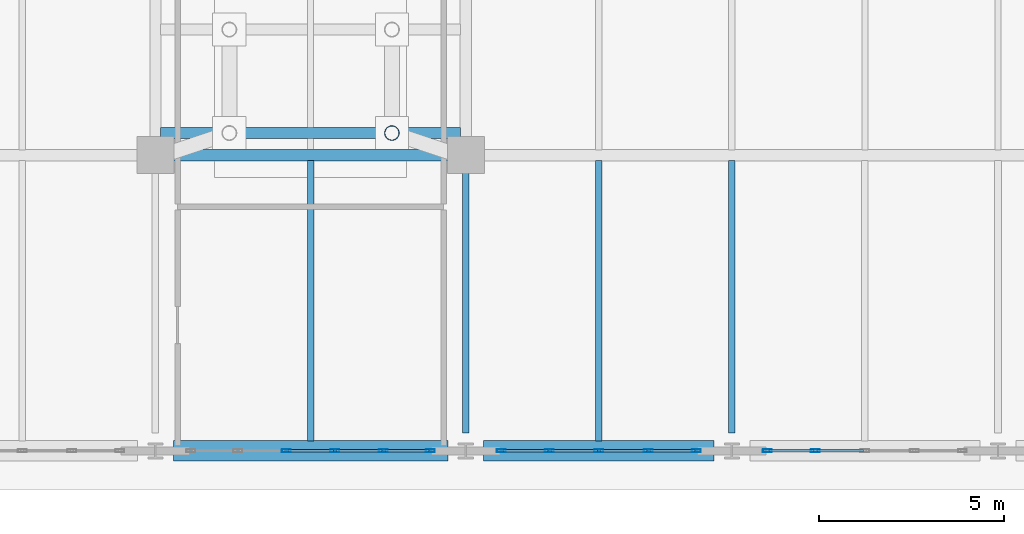
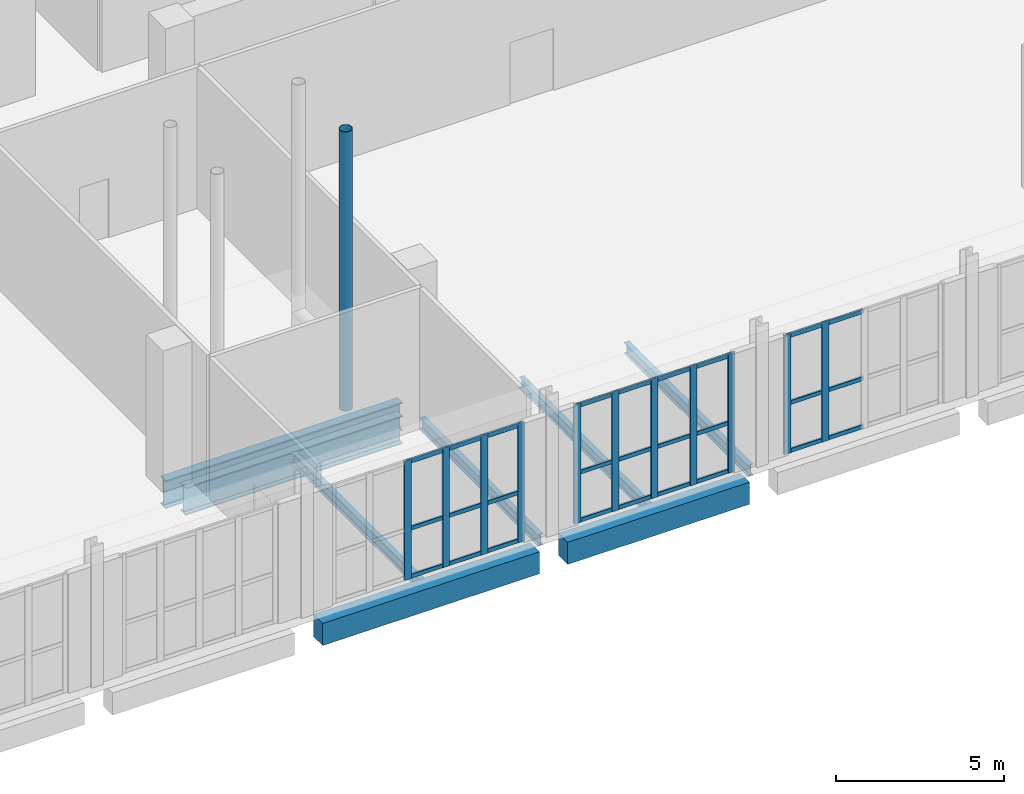
# One storey, part 8 of 26: 39 members, 8 beams, 3 elements without a shape of their own.
"""IFC4 building model written with IfcOpenShell, lengths in metres."""

from ifc_helpers import new_model, si_unit, direction, frame, origin, origin_2d, place, context, subcontext, project, spatial, rectangle, hollow_rectangle, hollow_circle, i_section, extrude, material, layer, layer_set, material_profile, profile_set, type_object, element, aggregate, save


model = new_model("IFC4")

# Units and contexts
model_context = context("Model", 3, precision=1e-05, world=origin(), true_north=direction((0.0, 1.0)))
body_context = subcontext(model_context, "Body", "Model", "MODEL_VIEW")
ifc_project = project(units=[si_unit("LENGTHUNIT", "METRE"), si_unit("AREAUNIT", "SQUARE_METRE"), si_unit("VOLUMEUNIT", "CUBIC_METRE"), si_unit("PLANEANGLEUNIT", "RADIAN"), si_unit("MASSUNIT", "GRAM", prefix="KILO")], contexts=[model_context])

# Site, building, storey
site_placement = place(None, origin())
site = spatial("IfcSite", under=ifc_project, at=site_placement, CompositionType="ELEMENT")
building_placement = place(site_placement, origin())
building = spatial("IfcBuilding", under=site, at=building_placement, Name="Kaelvorn Grand Hotel", CompositionType="ELEMENT")
storey_placement = place(building_placement, frame((0.0, 0.0, 294.699951171875)))
storey = spatial("IfcBuildingStorey", under=building, at=storey_placement, Name="L72", CompositionType="ELEMENT", Elevation=294.699951171875)

# Beams
ifc_material_1 = material(Name="Steel S460", Category="steel")
ifc_material_profile_1 = material_profile(ifc_material_1, i_section(OverallWidth=0.302001953125, OverallDepth=1.008056640625, WebThickness=0.02099609375, FlangeThickness=0.0400390625, FilletRadius=0.024169921875, at=origin_2d()), Name="UB 1016x305x349")
ifc_profile_set_1 = profile_set([ifc_material_profile_1], Name="Steel S460")
beam_type_1 = type_object("IfcBeamType", Name="BM-G-UB1016-S460", PredefinedType="BEAM", material=ifc_profile_set_1)
beam_1_placement = place(storey_placement, frame((38.284912109375, 15.0, -0.884033203125), z_axis=(1.0, 0.0, 0.0), x_axis=(0.0, 1.0, 0.0)))
element("IfcBeam", 1, at=beam_1_placement, inside=storey, type_object=beam_type_1, Name="L72 Primary Spine Steel Girder G-15 03", PredefinedType="BEAM", context=body_context, shape_type="SweptSolid", body=[
    extrude(i_section(OverallWidth=0.302001953125, OverallDepth=1.008056640625, WebThickness=0.02099609375, FlangeThickness=0.0400390625, FilletRadius=0.024169921875, at=origin_2d()), origin(), (0.0, 0.0, 1.0), 7.43017578125),
])
beam_2_placement = place(storey_placement, frame((37.93994140625, 15.60009765625, -0.884033203125), z_axis=(1.0, 0.0, 0.0), x_axis=(0.0, 1.0, 0.0)))
element("IfcBeam", 2, at=beam_2_placement, inside=storey, type_object=beam_type_1, Name="L72 Tuned Mass Damper Support Girder G1-1", PredefinedType="BEAM", context=body_context, shape_type="SweptSolid", body=[
    extrude(i_section(OverallWidth=0.302001953125, OverallDepth=1.008056640625, WebThickness=0.02099609375, FlangeThickness=0.0400390625, FilletRadius=0.024169921875, at=origin_2d()), origin(), (0.0, 0.0, 1.0), 8.1201171875),
])
ifc_material_2 = material(Name="Steel S355", Category="steel")
ifc_material_profile_2 = material_profile(ifc_material_2, i_section(OverallWidth=0.179931640625, OverallDepth=0.39990234375, WebThickness=0.008544921875, FlangeThickness=0.013427734375, FilletRadius=0.02099609375, at=origin_2d()), Name="IPE 400")
ifc_profile_set_2 = profile_set([ifc_material_profile_2], Name="Steel S355")
beam_type_2 = type_object("IfcBeamType", Name="BM-J-IPE400-S355", PredefinedType="JOIST", material=ifc_profile_set_2)
beam_3_placement = place(storey_placement, frame((42.0, 7.260009765625, -0.579833984375), z_axis=(0.0, 1.0, 0.0), x_axis=(-1.0, 0.0, 0.0)))
element("IfcBeam", 3, at=beam_3_placement, inside=storey, type_object=beam_type_2, Name="L72 Composite Floor Joist JS-12", PredefinedType="JOIST", context=body_context, shape_type="SweptSolid", body=[
    extrude(i_section(OverallWidth=0.179931640625, OverallDepth=0.39990234375, WebThickness=0.008544921875, FlangeThickness=0.013427734375, FilletRadius=0.02099609375, at=origin_2d()), origin(), (0.0, 0.0, 1.0), 7.60400390625),
])
beam_4_placement = place(storey_placement, frame((46.199951171875, 7.485107421875, -0.579833984375), z_axis=(0.0, 1.0, 0.0), x_axis=(-1.0, 0.0, 0.0)))
element("IfcBeam", 4, at=beam_4_placement, inside=storey, type_object=beam_type_2, Name="L72 Composite Floor Joist JS-13", PredefinedType="JOIST", context=body_context, shape_type="SweptSolid", body=[
    extrude(i_section(OverallWidth=0.179931640625, OverallDepth=0.39990234375, WebThickness=0.008544921875, FlangeThickness=0.013427734375, FilletRadius=0.02099609375, at=origin_2d()), origin(), (0.0, 0.0, 1.0), 7.02978515625),
])
beam_5_placement = place(storey_placement, frame((49.800048828125, 7.260009765625, -0.579833984375), z_axis=(0.0, 1.0, 0.0), x_axis=(-1.0, 0.0, 0.0)))
element("IfcBeam", 5, at=beam_5_placement, inside=storey, type_object=beam_type_2, Name="L72 Composite Floor Joist JS-14", PredefinedType="JOIST", context=body_context, shape_type="SweptSolid", body=[
    extrude(i_section(OverallWidth=0.179931640625, OverallDepth=0.39990234375, WebThickness=0.008544921875, FlangeThickness=0.013427734375, FilletRadius=0.02099609375, at=origin_2d()), origin(), (0.0, 0.0, 1.0), 7.60400390625),
])
beam_6_placement = place(storey_placement, frame((53.39990234375, 7.485107421875, -0.579833984375), z_axis=(0.0, 1.0, 0.0), x_axis=(-1.0, 0.0, 0.0)))
element("IfcBeam", 6, at=beam_6_placement, inside=storey, type_object=beam_type_2, Name="L72 Composite Floor Joist JS-15", PredefinedType="JOIST", context=body_context, shape_type="SweptSolid", body=[
    extrude(i_section(OverallWidth=0.179931640625, OverallDepth=0.39990234375, WebThickness=0.008544921875, FlangeThickness=0.013427734375, FilletRadius=0.02099609375, at=origin_2d()), origin(), (0.0, 0.0, 1.0), 7.37890625),
])
ifc_material_3 = material(Name="Concrete C50/60", Category="concrete")
ifc_material_profile_3 = material_profile(ifc_material_3, rectangle(XDim=0.550048828125, YDim=0.800048828125, at=origin_2d()), Name="RC SPANDREL 550x800")
ifc_profile_set_3 = profile_set([ifc_material_profile_3], Name="Concrete C50/60")
beam_type_3 = type_object("IfcBeamType", Name="BM-SP-550x800-C50", PredefinedType="SPANDREL", material=ifc_profile_set_3)
beam_7_placement = place(storey_placement, frame((38.284912109375, 7.0, -0.780029296875), z_axis=(1.0, 0.0, 0.0), x_axis=(0.0, 1.0, 0.0)))
element("IfcBeam", 7, at=beam_7_placement, inside=storey, type_object=beam_type_3, Name="L72 South Perimeter Spandrel 05", PredefinedType="SPANDREL", context=body_context, shape_type="SweptSolid", body=[
    extrude(rectangle(XDim=0.550048828125, YDim=0.800048828125, at=origin_2d()), origin(), (0.0, 0.0, 1.0), 7.43017578125),
])
beam_8_placement = place(storey_placement, frame((46.68505859375, 7.0, -0.780029296875), z_axis=(1.0, 0.0, 0.0), x_axis=(0.0, 1.0, 0.0)))
element("IfcBeam", 8, at=beam_8_placement, inside=storey, type_object=beam_type_3, Name="L72 South Perimeter Spandrel 06", PredefinedType="SPANDREL", context=body_context, shape_type="SweptSolid", body=[
    extrude(rectangle(XDim=0.550048828125, YDim=0.800048828125, at=origin_2d()), origin(), (0.0, 0.0, 1.0), 6.22998046875),
])

# Curtain wall, members
ifc_material_4 = material(Name="Anodised Aluminium", Category="aluminium")
ifc_layer = layer(ifc_material_4, 0.239990234375)
ifc_layer_set = layer_set([ifc_layer], Name="Anodised Aluminium")
curtain_wall_type = type_object("IfcCurtainWallType", Name="CW-SYS5", PredefinedType="NOTDEFINED", material=ifc_layer_set)
curtain_wall_1_placement = place(storey_placement, origin())
curtain_wall_1 = element("IfcCurtainWall", 9, at=curtain_wall_1_placement, inside=storey, type_object=curtain_wall_type, Name="L72 Unitised Curtain Wall CW5 (CW-L72-S-04)", PredefinedType="NOTDEFINED")
ifc_material_profile_4 = material_profile(ifc_material_4, hollow_rectangle(XDim=0.080078125, YDim=0.239990234375, WallThickness=0.0048828125, InnerFilletRadius=0.0048828125, OuterFilletRadius=0.010009765625, at=origin_2d()), Name="ALU MULL 80x240")
ifc_profile_set_4 = profile_set([ifc_material_profile_4], Name="Anodised Aluminium")
member_type_1 = type_object("IfcMemberType", Name="CW-SYS5-MULL", PredefinedType="MULLION", material=ifc_profile_set_4)
member_1_placement = place(storey_placement, frame((41.343994140625, 7.0, 0.0), z_axis=(0.0, 0.0, 1.0), x_axis=(0.0, 1.0, 0.0)))
member_1 = element("IfcMember", 10, at=member_1_placement, type_object=member_type_1, Name="CW5 mullion 3", PredefinedType="MULLION", context=body_context, shape_type="SweptSolid", body=[
    extrude(hollow_rectangle(XDim=0.080078125, YDim=0.239990234375, WallThickness=0.0048828125, InnerFilletRadius=0.0048828125, OuterFilletRadius=0.010009765625, at=origin_2d()), origin(), (0.0, 0.0, 1.0), 4.320068359375),
])
member_2_placement = place(storey_placement, frame((42.656005859375, 7.0, 0.0), z_axis=(0.0, 0.0, 1.0), x_axis=(0.0, 1.0, 0.0)))
member_2 = element("IfcMember", 11, at=member_2_placement, type_object=member_type_1, Name="CW5 mullion 4", PredefinedType="MULLION", context=body_context, shape_type="SweptSolid", body=[
    extrude(hollow_rectangle(XDim=0.080078125, YDim=0.239990234375, WallThickness=0.0048828125, InnerFilletRadius=0.0048828125, OuterFilletRadius=0.010009765625, at=origin_2d()), origin(), (0.0, 0.0, 1.0), 4.320068359375),
])
member_3_placement = place(storey_placement, frame((43.968017578125, 7.0, 0.0), z_axis=(0.0, 0.0, 1.0), x_axis=(0.0, 1.0, 0.0)))
member_3 = element("IfcMember", 12, at=member_3_placement, type_object=member_type_1, Name="CW5 mullion 5", PredefinedType="MULLION", context=body_context, shape_type="SweptSolid", body=[
    extrude(hollow_rectangle(XDim=0.080078125, YDim=0.239990234375, WallThickness=0.0048828125, InnerFilletRadius=0.0048828125, OuterFilletRadius=0.010009765625, at=origin_2d()), origin(), (0.0, 0.0, 1.0), 4.320068359375),
])
member_4_placement = place(storey_placement, frame((45.239990234375, 7.0, 0.0), z_axis=(0.0, 0.0, 1.0), x_axis=(0.0, 1.0, 0.0)))
member_4 = element("IfcMember", 13, at=member_4_placement, type_object=member_type_1, Name="CW5 mullion 6", PredefinedType="MULLION", context=body_context, shape_type="SweptSolid", body=[
    extrude(hollow_rectangle(XDim=0.080078125, YDim=0.239990234375, WallThickness=0.0048828125, InnerFilletRadius=0.0048828125, OuterFilletRadius=0.010009765625, at=origin_2d()), origin(), (0.0, 0.0, 1.0), 4.320068359375),
])

curtain_wall_2_placement = place(storey_placement, origin())
curtain_wall_2 = element("IfcCurtainWall", 14, at=curtain_wall_2_placement, inside=storey, type_object=curtain_wall_type, Name="L72 Unitised Curtain Wall CW5 (CW-L72-S-05)", PredefinedType="NOTDEFINED")
member_5_placement = place(storey_placement, frame((47.159912109375, 7.0, 0.0), z_axis=(0.0, 0.0, 1.0), x_axis=(0.0, 1.0, 0.0)))
member_5 = element("IfcMember", 15, at=member_5_placement, type_object=member_type_1, Name="CW5 mullion 1", PredefinedType="MULLION", context=body_context, shape_type="SweptSolid", body=[
    extrude(hollow_rectangle(XDim=0.080078125, YDim=0.239990234375, WallThickness=0.0048828125, InnerFilletRadius=0.0048828125, OuterFilletRadius=0.010009765625, at=origin_2d()), origin(), (0.0, 0.0, 1.0), 4.320068359375),
])
member_6_placement = place(storey_placement, frame((48.4599609375, 7.0, 0.0), z_axis=(0.0, 0.0, 1.0), x_axis=(0.0, 1.0, 0.0)))
member_6 = element("IfcMember", 16, at=member_6_placement, type_object=member_type_1, Name="CW5 mullion 2", PredefinedType="MULLION", context=body_context, shape_type="SweptSolid", body=[
    extrude(hollow_rectangle(XDim=0.080078125, YDim=0.239990234375, WallThickness=0.0048828125, InnerFilletRadius=0.0048828125, OuterFilletRadius=0.010009765625, at=origin_2d()), origin(), (0.0, 0.0, 1.0), 4.320068359375),
])
member_7_placement = place(storey_placement, frame((49.800048828125, 7.0, 0.0), z_axis=(0.0, 0.0, 1.0), x_axis=(0.0, 1.0, 0.0)))
member_7 = element("IfcMember", 17, at=member_7_placement, type_object=member_type_1, Name="CW5 mullion 3", PredefinedType="MULLION", context=body_context, shape_type="SweptSolid", body=[
    extrude(hollow_rectangle(XDim=0.080078125, YDim=0.239990234375, WallThickness=0.0048828125, InnerFilletRadius=0.0048828125, OuterFilletRadius=0.010009765625, at=origin_2d()), origin(), (0.0, 0.0, 1.0), 4.320068359375),
])
member_8_placement = place(storey_placement, frame((51.139892578125, 7.0, 0.0), z_axis=(0.0, 0.0, 1.0), x_axis=(0.0, 1.0, 0.0)))
member_8 = element("IfcMember", 18, at=member_8_placement, type_object=member_type_1, Name="CW5 mullion 4", PredefinedType="MULLION", context=body_context, shape_type="SweptSolid", body=[
    extrude(hollow_rectangle(XDim=0.080078125, YDim=0.239990234375, WallThickness=0.0048828125, InnerFilletRadius=0.0048828125, OuterFilletRadius=0.010009765625, at=origin_2d()), origin(), (0.0, 0.0, 1.0), 4.320068359375),
])
member_9_placement = place(storey_placement, frame((52.43994140625, 7.0, 0.0), z_axis=(0.0, 0.0, 1.0), x_axis=(0.0, 1.0, 0.0)))
member_9 = element("IfcMember", 19, at=member_9_placement, type_object=member_type_1, Name="CW5 mullion 5", PredefinedType="MULLION", context=body_context, shape_type="SweptSolid", body=[
    extrude(hollow_rectangle(XDim=0.080078125, YDim=0.239990234375, WallThickness=0.0048828125, InnerFilletRadius=0.0048828125, OuterFilletRadius=0.010009765625, at=origin_2d()), origin(), (0.0, 0.0, 1.0), 4.320068359375),
])

curtain_wall_3_placement = place(storey_placement, origin())
curtain_wall_3 = element("IfcCurtainWall", 20, at=curtain_wall_3_placement, inside=storey, type_object=curtain_wall_type, Name="L72 Unitised Curtain Wall CW5 (CW-L72-S-06)", PredefinedType="NOTDEFINED")
member_10_placement = place(storey_placement, frame((54.360107421875, 7.0, 0.0), z_axis=(0.0, 0.0, 1.0), x_axis=(0.0, 1.0, 0.0)))
member_10 = element("IfcMember", 21, at=member_10_placement, type_object=member_type_1, Name="CW5 mullion 1", PredefinedType="MULLION", context=body_context, shape_type="SweptSolid", body=[
    extrude(hollow_rectangle(XDim=0.080078125, YDim=0.239990234375, WallThickness=0.0048828125, InnerFilletRadius=0.0048828125, OuterFilletRadius=0.010009765625, at=origin_2d()), origin(), (0.0, 0.0, 1.0), 4.320068359375),
])
member_11_placement = place(storey_placement, frame((55.659912109375, 7.0, 0.0), z_axis=(0.0, 0.0, 1.0), x_axis=(0.0, 1.0, 0.0)))
member_11 = element("IfcMember", 22, at=member_11_placement, type_object=member_type_1, Name="CW5 mullion 2", PredefinedType="MULLION", context=body_context, shape_type="SweptSolid", body=[
    extrude(hollow_rectangle(XDim=0.080078125, YDim=0.239990234375, WallThickness=0.0048828125, InnerFilletRadius=0.0048828125, OuterFilletRadius=0.010009765625, at=origin_2d()), origin(), (0.0, 0.0, 1.0), 4.320068359375),
])

# Member
ifc_material_profile_5 = material_profile(ifc_material_4, hollow_rectangle(XDim=0.074951171875, YDim=0.14990234375, WallThickness=0.00390625, InnerFilletRadius=0.00390625, OuterFilletRadius=0.008056640625, at=origin_2d()), Name="ALU TRAN 75x150")
ifc_profile_set_5 = profile_set([ifc_material_profile_5], Name="Anodised Aluminium")
member_type_2 = type_object("IfcMemberType", Name="CW-SYS5-TRAN", PredefinedType="NOTDEFINED", material=ifc_profile_set_5)
member_12_placement = place(storey_placement, frame((41.384033203125, 7.0, 0.074951171875), z_axis=(1.0, 0.0, 0.0), x_axis=(0.0, 1.0, 0.0)))
member_12 = element("IfcMember", 23, at=member_12_placement, type_object=member_type_2, Name="CW5 transom 3.1", ObjectType="TRANSOM", PredefinedType="USERDEFINED", context=body_context, shape_type="SweptSolid", body=[
    extrude(hollow_rectangle(XDim=0.074951171875, YDim=0.14990234375, WallThickness=0.00390625, InnerFilletRadius=0.00390625, OuterFilletRadius=0.008056640625, at=origin_2d()), origin(), (0.0, 0.0, 1.0), 1.23193359375),
])

member_13_placement = place(storey_placement, frame((41.384033203125, 7.0, 1.814453125), z_axis=(1.0, 0.0, 0.0), x_axis=(0.0, 1.0, 0.0)))
member_13 = element("IfcMember", 24, at=member_13_placement, type_object=member_type_2, Name="CW5 transom 3.2", ObjectType="TRANSOM", PredefinedType="USERDEFINED", context=body_context, shape_type="SweptSolid", body=[
    extrude(hollow_rectangle(XDim=0.074951171875, YDim=0.14990234375, WallThickness=0.00390625, InnerFilletRadius=0.00390625, OuterFilletRadius=0.008056640625, at=origin_2d()), origin(), (0.0, 0.0, 1.0), 1.23193359375),
])

member_14_placement = place(storey_placement, frame((41.384033203125, 7.0, 4.2451171875), z_axis=(1.0, 0.0, 0.0), x_axis=(0.0, 1.0, 0.0)))
member_14 = element("IfcMember", 25, at=member_14_placement, type_object=member_type_2, Name="CW5 transom 3.3", ObjectType="TRANSOM", PredefinedType="USERDEFINED", context=body_context, shape_type="SweptSolid", body=[
    extrude(hollow_rectangle(XDim=0.074951171875, YDim=0.14990234375, WallThickness=0.00390625, InnerFilletRadius=0.00390625, OuterFilletRadius=0.008056640625, at=origin_2d()), origin(), (0.0, 0.0, 1.0), 1.23193359375),
])

member_15_placement = place(storey_placement, frame((42.696044921875, 7.0, 0.074951171875), z_axis=(1.0, 0.0, 0.0), x_axis=(0.0, 1.0, 0.0)))
member_15 = element("IfcMember", 26, at=member_15_placement, type_object=member_type_2, Name="CW5 transom 4.1", ObjectType="TRANSOM", PredefinedType="USERDEFINED", context=body_context, shape_type="SweptSolid", body=[
    extrude(hollow_rectangle(XDim=0.074951171875, YDim=0.14990234375, WallThickness=0.00390625, InnerFilletRadius=0.00390625, OuterFilletRadius=0.008056640625, at=origin_2d()), origin(), (0.0, 0.0, 1.0), 1.23193359375),
])

member_16_placement = place(storey_placement, frame((42.696044921875, 7.0, 1.814453125), z_axis=(1.0, 0.0, 0.0), x_axis=(0.0, 1.0, 0.0)))
member_16 = element("IfcMember", 27, at=member_16_placement, type_object=member_type_2, Name="CW5 transom 4.2", ObjectType="TRANSOM", PredefinedType="USERDEFINED", context=body_context, shape_type="SweptSolid", body=[
    extrude(hollow_rectangle(XDim=0.074951171875, YDim=0.14990234375, WallThickness=0.00390625, InnerFilletRadius=0.00390625, OuterFilletRadius=0.008056640625, at=origin_2d()), origin(), (0.0, 0.0, 1.0), 1.23193359375),
])

member_17_placement = place(storey_placement, frame((42.696044921875, 7.0, 4.2451171875), z_axis=(1.0, 0.0, 0.0), x_axis=(0.0, 1.0, 0.0)))
member_17 = element("IfcMember", 28, at=member_17_placement, type_object=member_type_2, Name="CW5 transom 4.3", ObjectType="TRANSOM", PredefinedType="USERDEFINED", context=body_context, shape_type="SweptSolid", body=[
    extrude(hollow_rectangle(XDim=0.074951171875, YDim=0.14990234375, WallThickness=0.00390625, InnerFilletRadius=0.00390625, OuterFilletRadius=0.008056640625, at=origin_2d()), origin(), (0.0, 0.0, 1.0), 1.23193359375),
])

member_18_placement = place(storey_placement, frame((44.008056640625, 7.0, 0.074951171875), z_axis=(1.0, 0.0, 0.0), x_axis=(0.0, 1.0, 0.0)))
member_18 = element("IfcMember", 29, at=member_18_placement, type_object=member_type_2, Name="CW5 transom 5.1", ObjectType="TRANSOM", PredefinedType="USERDEFINED", context=body_context, shape_type="SweptSolid", body=[
    extrude(hollow_rectangle(XDim=0.074951171875, YDim=0.14990234375, WallThickness=0.00390625, InnerFilletRadius=0.00390625, OuterFilletRadius=0.008056640625, at=origin_2d()), origin(), (0.0, 0.0, 1.0), 1.19189453125),
])

member_19_placement = place(storey_placement, frame((44.008056640625, 7.0, 1.814453125), z_axis=(1.0, 0.0, 0.0), x_axis=(0.0, 1.0, 0.0)))
member_19 = element("IfcMember", 30, at=member_19_placement, type_object=member_type_2, Name="CW5 transom 5.2", ObjectType="TRANSOM", PredefinedType="USERDEFINED", context=body_context, shape_type="SweptSolid", body=[
    extrude(hollow_rectangle(XDim=0.074951171875, YDim=0.14990234375, WallThickness=0.00390625, InnerFilletRadius=0.00390625, OuterFilletRadius=0.008056640625, at=origin_2d()), origin(), (0.0, 0.0, 1.0), 1.19189453125),
])

member_20_placement = place(storey_placement, frame((44.008056640625, 7.0, 4.2451171875), z_axis=(1.0, 0.0, 0.0), x_axis=(0.0, 1.0, 0.0)))
member_20 = element("IfcMember", 31, at=member_20_placement, type_object=member_type_2, Name="CW5 transom 5.3", ObjectType="TRANSOM", PredefinedType="USERDEFINED", context=body_context, shape_type="SweptSolid", body=[
    extrude(hollow_rectangle(XDim=0.074951171875, YDim=0.14990234375, WallThickness=0.00390625, InnerFilletRadius=0.00390625, OuterFilletRadius=0.008056640625, at=origin_2d()), origin(), (0.0, 0.0, 1.0), 1.19189453125),
])

aggregate(curtain_wall_1, [member_1, member_2, member_3, member_4, member_12, member_13, member_14, member_15, member_16, member_17, member_18, member_19, member_20])

member_21_placement = place(storey_placement, frame((47.199951171875, 7.0, 0.074951171875), z_axis=(1.0, 0.0, 0.0), x_axis=(0.0, 1.0, 0.0)))
member_21 = element("IfcMember", 32, at=member_21_placement, type_object=member_type_2, Name="CW5 transom 1.1", ObjectType="TRANSOM", PredefinedType="USERDEFINED", context=body_context, shape_type="SweptSolid", body=[
    extrude(hollow_rectangle(XDim=0.074951171875, YDim=0.14990234375, WallThickness=0.00390625, InnerFilletRadius=0.00390625, OuterFilletRadius=0.008056640625, at=origin_2d()), origin(), (0.0, 0.0, 1.0), 1.219970703125),
])

member_22_placement = place(storey_placement, frame((47.199951171875, 7.0, 1.814453125), z_axis=(1.0, 0.0, 0.0), x_axis=(0.0, 1.0, 0.0)))
member_22 = element("IfcMember", 33, at=member_22_placement, type_object=member_type_2, Name="CW5 transom 1.2", ObjectType="TRANSOM", PredefinedType="USERDEFINED", context=body_context, shape_type="SweptSolid", body=[
    extrude(hollow_rectangle(XDim=0.074951171875, YDim=0.14990234375, WallThickness=0.00390625, InnerFilletRadius=0.00390625, OuterFilletRadius=0.008056640625, at=origin_2d()), origin(), (0.0, 0.0, 1.0), 1.219970703125),
])

member_23_placement = place(storey_placement, frame((47.199951171875, 7.0, 4.2451171875), z_axis=(1.0, 0.0, 0.0), x_axis=(0.0, 1.0, 0.0)))
member_23 = element("IfcMember", 34, at=member_23_placement, type_object=member_type_2, Name="CW5 transom 1.3", ObjectType="TRANSOM", PredefinedType="USERDEFINED", context=body_context, shape_type="SweptSolid", body=[
    extrude(hollow_rectangle(XDim=0.074951171875, YDim=0.14990234375, WallThickness=0.00390625, InnerFilletRadius=0.00390625, OuterFilletRadius=0.008056640625, at=origin_2d()), origin(), (0.0, 0.0, 1.0), 1.219970703125),
])

member_24_placement = place(storey_placement, frame((48.5, 7.0, 0.074951171875), z_axis=(1.0, 0.0, 0.0), x_axis=(0.0, 1.0, 0.0)))
member_24 = element("IfcMember", 35, at=member_24_placement, type_object=member_type_2, Name="CW5 transom 2.1", ObjectType="TRANSOM", PredefinedType="USERDEFINED", context=body_context, shape_type="SweptSolid", body=[
    extrude(hollow_rectangle(XDim=0.074951171875, YDim=0.14990234375, WallThickness=0.00390625, InnerFilletRadius=0.00390625, OuterFilletRadius=0.008056640625, at=origin_2d()), origin(), (0.0, 0.0, 1.0), 1.260009765625),
])

member_25_placement = place(storey_placement, frame((48.5, 7.0, 1.814453125), z_axis=(1.0, 0.0, 0.0), x_axis=(0.0, 1.0, 0.0)))
member_25 = element("IfcMember", 36, at=member_25_placement, type_object=member_type_2, Name="CW5 transom 2.2", ObjectType="TRANSOM", PredefinedType="USERDEFINED", context=body_context, shape_type="SweptSolid", body=[
    extrude(hollow_rectangle(XDim=0.074951171875, YDim=0.14990234375, WallThickness=0.00390625, InnerFilletRadius=0.00390625, OuterFilletRadius=0.008056640625, at=origin_2d()), origin(), (0.0, 0.0, 1.0), 1.260009765625),
])

member_26_placement = place(storey_placement, frame((48.5, 7.0, 4.2451171875), z_axis=(1.0, 0.0, 0.0), x_axis=(0.0, 1.0, 0.0)))
member_26 = element("IfcMember", 37, at=member_26_placement, type_object=member_type_2, Name="CW5 transom 2.3", ObjectType="TRANSOM", PredefinedType="USERDEFINED", context=body_context, shape_type="SweptSolid", body=[
    extrude(hollow_rectangle(XDim=0.074951171875, YDim=0.14990234375, WallThickness=0.00390625, InnerFilletRadius=0.00390625, OuterFilletRadius=0.008056640625, at=origin_2d()), origin(), (0.0, 0.0, 1.0), 1.260009765625),
])

member_27_placement = place(storey_placement, frame((49.840087890625, 7.0, 0.074951171875), z_axis=(1.0, 0.0, 0.0), x_axis=(0.0, 1.0, 0.0)))
member_27 = element("IfcMember", 38, at=member_27_placement, type_object=member_type_2, Name="CW5 transom 3.1", ObjectType="TRANSOM", PredefinedType="USERDEFINED", context=body_context, shape_type="SweptSolid", body=[
    extrude(hollow_rectangle(XDim=0.074951171875, YDim=0.14990234375, WallThickness=0.00390625, InnerFilletRadius=0.00390625, OuterFilletRadius=0.008056640625, at=origin_2d()), origin(), (0.0, 0.0, 1.0), 1.260009765625),
])

member_28_placement = place(storey_placement, frame((49.840087890625, 7.0, 1.814453125), z_axis=(1.0, 0.0, 0.0), x_axis=(0.0, 1.0, 0.0)))
member_28 = element("IfcMember", 39, at=member_28_placement, type_object=member_type_2, Name="CW5 transom 3.2", ObjectType="TRANSOM", PredefinedType="USERDEFINED", context=body_context, shape_type="SweptSolid", body=[
    extrude(hollow_rectangle(XDim=0.074951171875, YDim=0.14990234375, WallThickness=0.00390625, InnerFilletRadius=0.00390625, OuterFilletRadius=0.008056640625, at=origin_2d()), origin(), (0.0, 0.0, 1.0), 1.260009765625),
])

member_29_placement = place(storey_placement, frame((49.840087890625, 7.0, 4.2451171875), z_axis=(1.0, 0.0, 0.0), x_axis=(0.0, 1.0, 0.0)))
member_29 = element("IfcMember", 40, at=member_29_placement, type_object=member_type_2, Name="CW5 transom 3.3", ObjectType="TRANSOM", PredefinedType="USERDEFINED", context=body_context, shape_type="SweptSolid", body=[
    extrude(hollow_rectangle(XDim=0.074951171875, YDim=0.14990234375, WallThickness=0.00390625, InnerFilletRadius=0.00390625, OuterFilletRadius=0.008056640625, at=origin_2d()), origin(), (0.0, 0.0, 1.0), 1.260009765625),
])

member_30_placement = place(storey_placement, frame((51.179931640625, 7.0, 0.074951171875), z_axis=(1.0, 0.0, 0.0), x_axis=(0.0, 1.0, 0.0)))
member_30 = element("IfcMember", 41, at=member_30_placement, type_object=member_type_2, Name="CW5 transom 4.1", ObjectType="TRANSOM", PredefinedType="USERDEFINED", context=body_context, shape_type="SweptSolid", body=[
    extrude(hollow_rectangle(XDim=0.074951171875, YDim=0.14990234375, WallThickness=0.00390625, InnerFilletRadius=0.00390625, OuterFilletRadius=0.008056640625, at=origin_2d()), origin(), (0.0, 0.0, 1.0), 1.219970703125),
])

member_31_placement = place(storey_placement, frame((51.179931640625, 7.0, 1.814453125), z_axis=(1.0, 0.0, 0.0), x_axis=(0.0, 1.0, 0.0)))
member_31 = element("IfcMember", 42, at=member_31_placement, type_object=member_type_2, Name="CW5 transom 4.2", ObjectType="TRANSOM", PredefinedType="USERDEFINED", context=body_context, shape_type="SweptSolid", body=[
    extrude(hollow_rectangle(XDim=0.074951171875, YDim=0.14990234375, WallThickness=0.00390625, InnerFilletRadius=0.00390625, OuterFilletRadius=0.008056640625, at=origin_2d()), origin(), (0.0, 0.0, 1.0), 1.219970703125),
])

member_32_placement = place(storey_placement, frame((51.179931640625, 7.0, 4.2451171875), z_axis=(1.0, 0.0, 0.0), x_axis=(0.0, 1.0, 0.0)))
member_32 = element("IfcMember", 43, at=member_32_placement, type_object=member_type_2, Name="CW5 transom 4.3", ObjectType="TRANSOM", PredefinedType="USERDEFINED", context=body_context, shape_type="SweptSolid", body=[
    extrude(hollow_rectangle(XDim=0.074951171875, YDim=0.14990234375, WallThickness=0.00390625, InnerFilletRadius=0.00390625, OuterFilletRadius=0.008056640625, at=origin_2d()), origin(), (0.0, 0.0, 1.0), 1.219970703125),
])

aggregate(curtain_wall_2, [member_5, member_6, member_7, member_8, member_9, member_21, member_22, member_23, member_24, member_25, member_26, member_27, member_28, member_29, member_30, member_31, member_32])

member_33_placement = place(storey_placement, frame((54.39990234375, 7.0, 0.074951171875), z_axis=(1.0, 0.0, 0.0), x_axis=(0.0, 1.0, 0.0)))
member_33 = element("IfcMember", 44, at=member_33_placement, type_object=member_type_2, Name="CW5 transom 1.1", ObjectType="TRANSOM", PredefinedType="USERDEFINED", context=body_context, shape_type="SweptSolid", body=[
    extrude(hollow_rectangle(XDim=0.074951171875, YDim=0.14990234375, WallThickness=0.00390625, InnerFilletRadius=0.00390625, OuterFilletRadius=0.008056640625, at=origin_2d()), origin(), (0.0, 0.0, 1.0), 1.22021484375),
])

member_34_placement = place(storey_placement, frame((54.39990234375, 7.0, 1.814453125), z_axis=(1.0, 0.0, 0.0), x_axis=(0.0, 1.0, 0.0)))
member_34 = element("IfcMember", 45, at=member_34_placement, type_object=member_type_2, Name="CW5 transom 1.2", ObjectType="TRANSOM", PredefinedType="USERDEFINED", context=body_context, shape_type="SweptSolid", body=[
    extrude(hollow_rectangle(XDim=0.074951171875, YDim=0.14990234375, WallThickness=0.00390625, InnerFilletRadius=0.00390625, OuterFilletRadius=0.008056640625, at=origin_2d()), origin(), (0.0, 0.0, 1.0), 1.22021484375),
])

member_35_placement = place(storey_placement, frame((54.39990234375, 7.0, 4.2451171875), z_axis=(1.0, 0.0, 0.0), x_axis=(0.0, 1.0, 0.0)))
member_35 = element("IfcMember", 46, at=member_35_placement, type_object=member_type_2, Name="CW5 transom 1.3", ObjectType="TRANSOM", PredefinedType="USERDEFINED", context=body_context, shape_type="SweptSolid", body=[
    extrude(hollow_rectangle(XDim=0.074951171875, YDim=0.14990234375, WallThickness=0.00390625, InnerFilletRadius=0.00390625, OuterFilletRadius=0.008056640625, at=origin_2d()), origin(), (0.0, 0.0, 1.0), 1.22021484375),
])

member_36_placement = place(storey_placement, frame((55.699951171875, 7.0, 0.074951171875), z_axis=(1.0, 0.0, 0.0), x_axis=(0.0, 1.0, 0.0)))
member_36 = element("IfcMember", 47, at=member_36_placement, type_object=member_type_2, Name="CW5 transom 2.1", ObjectType="TRANSOM", PredefinedType="USERDEFINED", context=body_context, shape_type="SweptSolid", body=[
    extrude(hollow_rectangle(XDim=0.074951171875, YDim=0.14990234375, WallThickness=0.00390625, InnerFilletRadius=0.00390625, OuterFilletRadius=0.008056640625, at=origin_2d()), origin(), (0.0, 0.0, 1.0), 1.260009765625),
])

member_37_placement = place(storey_placement, frame((55.699951171875, 7.0, 1.814453125), z_axis=(1.0, 0.0, 0.0), x_axis=(0.0, 1.0, 0.0)))
member_37 = element("IfcMember", 48, at=member_37_placement, type_object=member_type_2, Name="CW5 transom 2.2", ObjectType="TRANSOM", PredefinedType="USERDEFINED", context=body_context, shape_type="SweptSolid", body=[
    extrude(hollow_rectangle(XDim=0.074951171875, YDim=0.14990234375, WallThickness=0.00390625, InnerFilletRadius=0.00390625, OuterFilletRadius=0.008056640625, at=origin_2d()), origin(), (0.0, 0.0, 1.0), 1.260009765625),
])

member_38_placement = place(storey_placement, frame((55.699951171875, 7.0, 4.2451171875), z_axis=(1.0, 0.0, 0.0), x_axis=(0.0, 1.0, 0.0)))
member_38 = element("IfcMember", 49, at=member_38_placement, type_object=member_type_2, Name="CW5 transom 2.3", ObjectType="TRANSOM", PredefinedType="USERDEFINED", context=body_context, shape_type="SweptSolid", body=[
    extrude(hollow_rectangle(XDim=0.074951171875, YDim=0.14990234375, WallThickness=0.00390625, InnerFilletRadius=0.00390625, OuterFilletRadius=0.008056640625, at=origin_2d()), origin(), (0.0, 0.0, 1.0), 1.260009765625),
])

aggregate(curtain_wall_3, [member_10, member_11, member_33, member_34, member_35, member_36, member_37, member_38])

ifc_material_profile_6 = material_profile(ifc_material_1, hollow_circle(Radius=0.203125, WallThickness=0.02001953125, at=origin_2d()), Name="CHS 406.4x20.0")
ifc_profile_set_6 = profile_set([ifc_material_profile_6], Name="Steel S460")
member_type_3 = type_object("IfcMemberType", Name="MB-TMD-STRUT-CHS406", PredefinedType="STRUT", material=ifc_profile_set_6)
member_39_placement = place(storey_placement, frame((44.199951171875, 15.60009765625, 0.0), z_axis=(0.0, 0.0, 1.0), x_axis=(1.0, 0.0, 0.0)))
element("IfcMember", 50, at=member_39_placement, inside=storey, type_object=member_type_3, Name="L72 Tuned Mass Damper Strut Guide Post 2", PredefinedType="STRUT", context=body_context, shape_type="SweptSolid", body=[
    extrude(hollow_circle(Radius=0.203125, WallThickness=0.02001953125, at=origin_2d()), origin(), (0.0, 0.0, 1.0), 10.1201171875),
])

save(model, "model.ifc")
